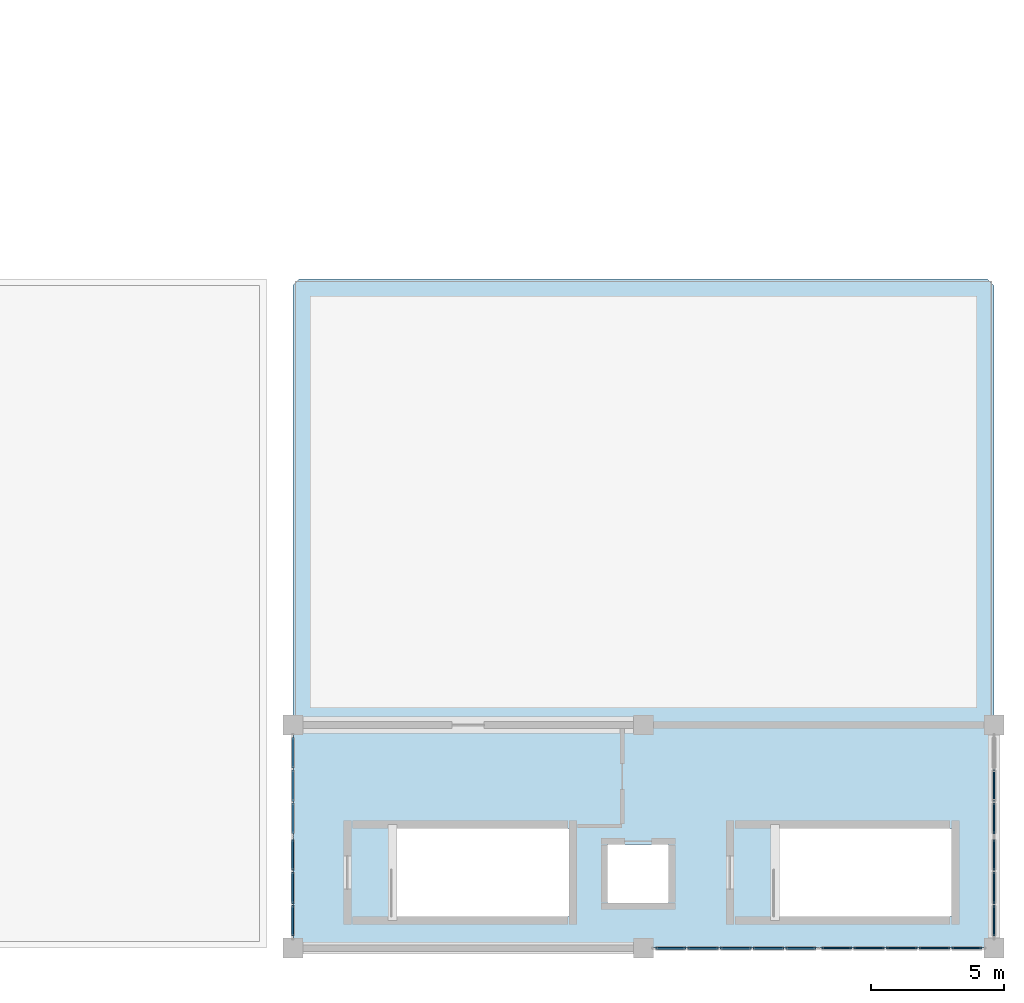
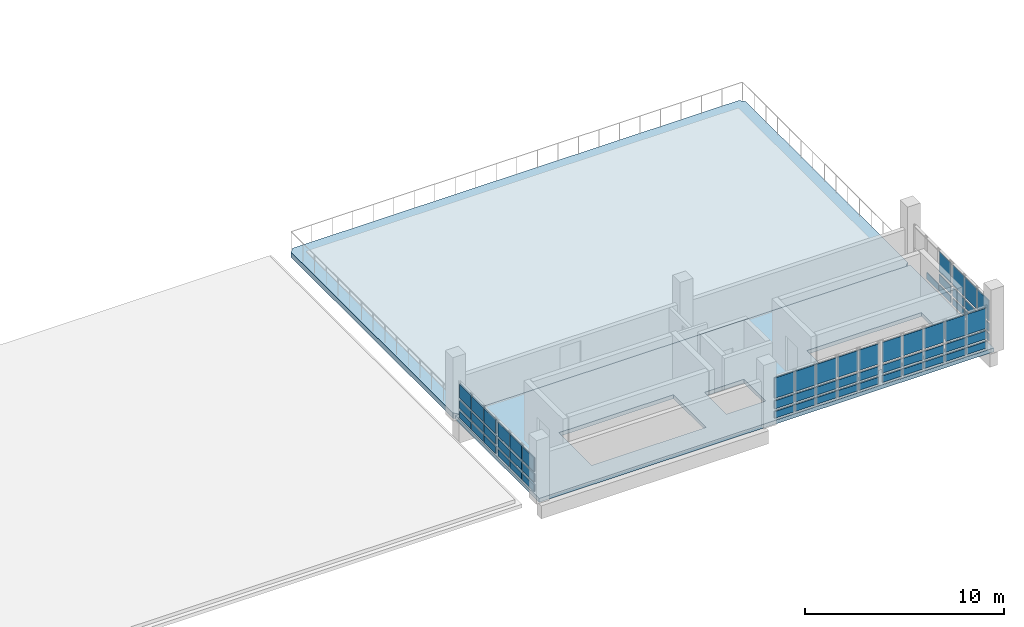
# One storey, part 166 of 188: 61 plates, 2 slabs, 6 elements without a shape of their own.
"""IFC4 building model written with IfcOpenShell, lengths in metres."""

import ifcopenshell
import ifcopenshell.guid

model = None  # the IFC model being written
_history = None  # IfcOwnerHistory: only IFC2X3 demands one
_inside = {}  # id of a spatial element -> (the spatial element, [elements in it])
_under = {}  # id of a project, library or spatial element -> (it, [spatial elements below it])
_declared = {}  # id of a project -> (the project, [libraries it declares])
_typed = {}  # id of a type object -> (the type object, [elements of that type])
_made_of = {}  # id of a material, layer set ... -> (it, [elements and type objects made of it])


def new_model(schema):
    """Start an empty IFC model of exactly this schema.

    Asked for "IFC4X3", IfcOpenShell would pick the latest addendum, in which some entities
    have other attributes; the version numbers below select the first issue.
    IFC2X3 requires an IfcOwnerHistory on every rooted entity: one is made here for all.
    """
    global model, _history
    if schema == "IFC4X3":
        model = ifcopenshell.file(schema_version=(4, 3, 0, 0))
    else:
        model = ifcopenshell.file(schema=schema)
    _inside.clear()
    _under.clear()
    _declared.clear()
    _typed.clear()
    _made_of.clear()
    _history = None
    if model.schema == "IFC2X3":
        org = make("IfcOrganization", Name="unknown")
        user = make(
            "IfcPersonAndOrganization",
            ThePerson=make("IfcPerson", FamilyName="unknown"),
            TheOrganization=org,
        )
        app = make(
            "IfcApplication",
            ApplicationDeveloper=org,
            Version="unknown",
            ApplicationFullName="unknown",
            ApplicationIdentifier="unknown",
        )
        _history = make(
            "IfcOwnerHistory",
            OwningUser=user,
            OwningApplication=app,
            ChangeAction="ADDED",
            CreationDate=0,
        )
    return model


def make(cls, **values):
    """One entity of the class cls with the attributes given. An attribute that is None is left unset."""
    return model.create_entity(
        cls, **{name: value for name, value in values.items() if value is not None}
    )


def rooted(cls, **values):
    """An entity with a GlobalId (a new one), such as an element, a storey or a relation."""
    return make(cls, GlobalId=ifcopenshell.guid.new(), OwnerHistory=_history, **values)


def si_unit(unit_type, name, prefix=None):
    """IfcSIUnit, for example si_unit("LENGTHUNIT", "METRE", prefix="MILLI")."""
    return make("IfcSIUnit", UnitType=unit_type, Prefix=prefix, Name=name)


def assignment(units):
    """IfcUnitAssignment: the units of a project."""
    return None if units is None else make("IfcUnitAssignment", Units=units)


def point(xyz):
    """IfcCartesianPoint."""
    return None if xyz is None else make("IfcCartesianPoint", Coordinates=xyz)


def direction(xyz):
    """IfcDirection."""
    return None if xyz is None else make("IfcDirection", DirectionRatios=xyz)


def frame(location, z_axis=None, x_axis=None):
    """IfcAxis2Placement3D, a coordinate frame: its origin and axes. An axis left out is left unset."""
    return make(
        "IfcAxis2Placement3D",
        Location=point(location),
        Axis=direction(z_axis),
        RefDirection=direction(x_axis),
    )


def frame_2d(location, x_axis=None):
    """IfcAxis2Placement2D, a coordinate frame in the plane: its origin and x axis."""
    return make(
        "IfcAxis2Placement2D", Location=point(location), RefDirection=direction(x_axis)
    )


def origin():
    """The frame at (0, 0, 0) with its axes left unset."""
    return frame((0.0, 0.0, 0.0))


def origin_2d():
    """The frame at (0, 0) in the plane with its x axis left unset."""
    return frame_2d((0.0, 0.0))


def place(relative_to, where):
    """IfcLocalPlacement: puts the frame where relative to a parent placement (None: the world)."""
    return make(
        "IfcLocalPlacement", PlacementRelTo=relative_to, RelativePlacement=where
    )


def context(
    kind, dimensions, precision=None, world=None, true_north=None, identifier=None
):
    """IfcGeometricRepresentationContext, for example the 3D "Model" context."""
    return make(
        "IfcGeometricRepresentationContext",
        ContextIdentifier=identifier,
        ContextType=kind,
        CoordinateSpaceDimension=dimensions,
        Precision=precision,
        WorldCoordinateSystem=world,
        TrueNorth=true_north,
    )


def subcontext(parent, identifier, kind, view, scale=None):
    """IfcGeometricRepresentationSubContext, for example "Body" below "Model"."""
    return make(
        "IfcGeometricRepresentationSubContext",
        ContextIdentifier=identifier,
        ContextType=kind,
        ParentContext=parent,
        TargetScale=scale,
        TargetView=view,
    )


def project(units=None, contexts=None):
    """IfcProject with its units and contexts."""
    return rooted(
        "IfcProject",
        Name="project",
        RepresentationContexts=contexts,
        UnitsInContext=assignment(units),
    )


def spatial(cls, under=None, at=None, **own):
    """A site, building, storey or space (cls), placed at a placement, below another one or the project."""
    s = rooted(cls, ObjectPlacement=at, **own)
    if under is not None:
        _under.setdefault(under.id(), (under, []))[1].append(s)
    return s


def polyline(points):
    """IfcPolyline through the points."""
    return make("IfcPolyline", Points=[point(p) for p in points])


def profile(cls, at=None, kind="AREA", **sizes):
    """A parametric profile (cls). Its sizes go by their IFC names, for example OverallWidth=200.0."""
    return make(cls, ProfileType=kind, Position=at, **sizes)


def rectangle(**sizes):
    """IfcRectangleProfileDef."""
    return profile("IfcRectangleProfileDef", **sizes)


def outline(outer, holes=None, kind="AREA"):
    """IfcArbitraryClosedProfileDef: a profile drawn as a closed curve; with holes, ...WithVoids."""
    if holes is None:
        return make("IfcArbitraryClosedProfileDef", ProfileType=kind, OuterCurve=outer)
    return make(
        "IfcArbitraryProfileDefWithVoids",
        ProfileType=kind,
        OuterCurve=outer,
        InnerCurves=holes,
    )


def extrude(swept, where, along, depth):
    """IfcExtrudedAreaSolid: the profile swept, set in the frame where, extruded along a direction by depth."""
    return make(
        "IfcExtrudedAreaSolid",
        SweptArea=swept,
        Position=where,
        ExtrudedDirection=direction(along),
        Depth=depth,
    )


def shape(context_of_items, identifier, shape_type, items):
    """IfcShapeRepresentation: the items that make up one representation, for example the "Body"."""
    return make(
        "IfcShapeRepresentation",
        ContextOfItems=context_of_items,
        RepresentationIdentifier=identifier,
        RepresentationType=shape_type,
        Items=items,
    )


def material(Name=None, Category=None):
    """IfcMaterial."""
    return make("IfcMaterial", Name=Name, Category=Category)


def layer(
    of_material, thickness, ventilated=None, Name=None, Category=None, Priority=None
):
    """IfcMaterialLayer: one layer of a wall or slab, of a material (None: an air gap)."""
    return make(
        "IfcMaterialLayer",
        Material=of_material,
        LayerThickness=thickness,
        IsVentilated=ventilated,
        Name=Name,
        Category=Category,
        Priority=Priority,
    )


def layer_set(layers, Name=None):
    """IfcMaterialLayerSet."""
    return make("IfcMaterialLayerSet", MaterialLayers=layers, LayerSetName=Name)


def made_of(thing, what):
    """Note that an element or type object is made of a material, layer set ...; save() writes the relation."""
    if what is not None:
        _made_of.setdefault(what.id(), (what, []))[1].append(thing)
    return thing


def type_object(cls, material=None, **own):
    """A type object (cls), such as IfcWallType, which elements share."""
    return made_of(rooted(cls, **own), material)


def element(
    cls,
    number,
    at=None,
    inside=None,
    cuts=None,
    type_object=None,
    material=None,
    context=None,
    identifier="Body",
    shape_type=None,
    held_by="IfcProductDefinitionShape",
    body=None,
    shapes=None,
    **own,
):
    """One element of the class cls, such as IfcWall. Its Tag is "e" and its number.

    at: its placement. inside: the storey or other place that contains it. cuts: it is an
    opening in that element (IfcRelVoidsElement). A single representation is given by context,
    identifier, shape_type and body (its items); several are given by shapes. held_by: the class
    of the entity that holds the representations. save() writes the other relations.
    """
    e = rooted(cls, Tag="e%d" % number, ObjectPlacement=at, **own)
    if body is not None:
        shapes = [shape(context, identifier, shape_type, body)]
    if shapes is not None:
        e.Representation = make(held_by, Representations=shapes)
    if inside is not None:
        _inside.setdefault(inside.id(), (inside, []))[1].append(e)
    if cuts is not None:
        rooted(
            "IfcRelVoidsElement", RelatingBuildingElement=cuts, RelatedOpeningElement=e
        )
    if type_object is not None:
        _typed.setdefault(type_object.id(), (type_object, []))[1].append(e)
    return made_of(e, material)


def aggregate(whole, parts):
    """IfcRelAggregates: a whole, such as a stair, and the parts it consists of."""
    return rooted("IfcRelAggregates", RelatingObject=whole, RelatedObjects=parts)


def save(model, path):
    """Write the relations noted so far, then the file.

    IfcRelAggregates (storeys below a building ...), IfcRelContainedInSpatialStructure (elements
    in a storey), IfcRelDefinesByType, IfcRelAssociatesMaterial and IfcRelDeclares: one each for
    every whole, place, type object, material and project.
    """
    for whole, parts in _under.values():
        aggregate(whole, parts)
    for where, things in _inside.values():
        rooted(
            "IfcRelContainedInSpatialStructure",
            RelatedElements=things,
            RelatingStructure=where,
        )
    for kind, things in _typed.values():
        rooted("IfcRelDefinesByType", RelatedObjects=things, RelatingType=kind)
    for what, things in _made_of.values():
        rooted("IfcRelAssociatesMaterial", RelatedObjects=things, RelatingMaterial=what)
    for by, libraries in _declared.values():
        rooted("IfcRelDeclares", RelatingContext=by, RelatedDefinitions=libraries)
    model.write(path)


model = new_model("IFC4")

# Units and contexts
model_context = context("Model", 3, precision=1e-05, world=origin(), true_north=direction((0.0, 1.0)))
body_context = subcontext(model_context, "Body", "Model", "MODEL_VIEW")
ifc_project = project(units=[si_unit("LENGTHUNIT", "METRE"), si_unit("AREAUNIT", "SQUARE_METRE"), si_unit("VOLUMEUNIT", "CUBIC_METRE"), si_unit("PLANEANGLEUNIT", "RADIAN"), si_unit("MASSUNIT", "GRAM", prefix="KILO")], contexts=[model_context])

# Site, building, storey
site_placement = place(None, origin())
site = spatial("IfcSite", under=ifc_project, at=site_placement, CompositionType="ELEMENT")
building_placement = place(site_placement, origin())
building = spatial("IfcBuilding", under=site, at=building_placement, Name="Kisaragi Civic Commons", CompositionType="ELEMENT")
storey_placement = place(building_placement, frame((0.0, 0.0, 9.60009765625)))
storey = spatial("IfcBuildingStorey", under=building, at=storey_placement, Name="L02", CompositionType="ELEMENT", Elevation=9.60009765625)

# Curtain wall, plates
ifc_material_1 = material(Name="Thermally broken anodized aluminium and low-E double glazing", Category="aluminium")
ifc_layer_1 = layer(ifc_material_1, 0.2099609375, Name="Thermally broken anodized aluminium and low-E double glazing", Category="aluminium")
ifc_layer_set_1 = layer_set([ifc_layer_1], Name="Thermally broken anodized aluminium and low-E double glazing")
curtain_wall_type = type_object("IfcCurtainWallType", Name="CW-02", PredefinedType="NOTDEFINED", material=ifc_layer_set_1)
curtain_wall_1_placement = place(storey_placement, origin())
curtain_wall_1 = element("IfcCurtainWall", 1, at=curtain_wall_1_placement, inside=storey, type_object=curtain_wall_type, Name="L02 curtain wall CW-02 CW-V3-L02-039", PredefinedType="NOTDEFINED")
ifc_layer_2 = layer(ifc_material_1, 0.0458984375, Name="Thermally broken anodized aluminium and low-E double glazing", Category="aluminium")
ifc_layer_set_2 = layer_set([ifc_layer_2], Name="Thermally broken anodized aluminium and low-E double glazing")
plate_type_1 = type_object("IfcPlateType", Name="CWP-13", PredefinedType="CURTAIN_PANEL", material=ifc_layer_set_2)
plate_1_placement = place(storey_placement, frame((172.800048828125, 6.125, 0.16015625), z_axis=(0.0, 0.0, 1.0), x_axis=(0.0, -1.0, 0.0)))
plate_1 = element("IfcPlate", 2, at=plate_1_placement, type_object=plate_type_1, Name="CW-02 panel 2.1", PredefinedType="CURTAIN_PANEL", context=body_context, shape_type="SweptSolid", body=[
    extrude(rectangle(XDim=1.186767578125, YDim=0.0458984375, at=origin_2d()), origin(), (0.0, 0.0, 1.0), 0.409912109375),
])
plate_2_placement = place(storey_placement, frame((172.800048828125, 4.8857421875, 0.16015625), z_axis=(0.0, 0.0, 1.0), x_axis=(0.0, -1.0, 0.0)))
plate_2 = element("IfcPlate", 3, at=plate_2_placement, type_object=plate_type_1, Name="CW-02 panel 3.1", PredefinedType="CURTAIN_PANEL", context=body_context, shape_type="SweptSolid", body=[
    extrude(rectangle(XDim=1.151611328125, YDim=0.0458984375, at=origin_2d()), origin(), (0.0, 0.0, 1.0), 0.409912109375),
])
plate_3_placement = place(storey_placement, frame((172.800048828125, 4.8857421875, 0.72998046875), z_axis=(0.0, 0.0, 1.0), x_axis=(0.0, -1.0, 0.0)))
plate_3 = element("IfcPlate", 4, at=plate_3_placement, type_object=plate_type_1, Name="CW-02 panel 3.2", PredefinedType="CURTAIN_PANEL", context=body_context, shape_type="SweptSolid", body=[
    extrude(rectangle(XDim=1.151611328125, YDim=0.0458984375, at=origin_2d()), origin(), (0.0, 0.0, 1.0), 0.489990234375),
])
plate_4_placement = place(storey_placement, frame((172.800048828125, 4.8857421875, 1.3798828125), z_axis=(0.0, 0.0, 1.0), x_axis=(0.0, -1.0, 0.0)))
plate_4 = element("IfcPlate", 5, at=plate_4_placement, type_object=plate_type_1, Name="CW-02 panel 3.3", PredefinedType="CURTAIN_PANEL", context=body_context, shape_type="SweptSolid", body=[
    extrude(rectangle(XDim=1.151611328125, YDim=0.0458984375, at=origin_2d()), origin(), (0.0, 0.0, 1.0), 1.239990234375),
])
aggregate(curtain_wall_1, [plate_1, plate_2, plate_3, plate_4])

curtain_wall_2_placement = place(storey_placement, origin())
curtain_wall_2 = element("IfcCurtainWall", 6, at=curtain_wall_2_placement, inside=storey, type_object=curtain_wall_type, Name="L02 curtain wall CW-02 CW-V3-L02-040", PredefinedType="NOTDEFINED")
ifc_layer_3 = layer(ifc_material_1, 0.050048828125, Name="Thermally broken anodized aluminium and low-E double glazing", Category="aluminium")
ifc_layer_set_3 = layer_set([ifc_layer_3], Name="Thermally broken anodized aluminium and low-E double glazing")
plate_type_2 = type_object("IfcPlateType", Name="CWP-14", PredefinedType="CURTAIN_PANEL", material=ifc_layer_set_3)
plate_5_placement = place(storey_placement, frame((172.800048828125, 3.51416015625, 0.16015625), z_axis=(0.0, 0.0, 1.0), x_axis=(0.0, -1.0, 0.0)))
plate_5 = element("IfcPlate", 7, at=plate_5_placement, type_object=plate_type_2, Name="CW-02 panel 1.1", PredefinedType="CURTAIN_PANEL", context=body_context, shape_type="SweptSolid", body=[
    extrude(rectangle(XDim=1.151611328125, YDim=0.050048828125, at=origin_2d()), origin(), (0.0, 0.0, 1.0), 0.409912109375),
])
plate_6_placement = place(storey_placement, frame((172.800048828125, 3.51416015625, 0.72998046875), z_axis=(0.0, 0.0, 1.0), x_axis=(0.0, -1.0, 0.0)))
plate_6 = element("IfcPlate", 8, at=plate_6_placement, type_object=plate_type_2, Name="CW-02 panel 1.2", PredefinedType="CURTAIN_PANEL", context=body_context, shape_type="SweptSolid", body=[
    extrude(rectangle(XDim=1.151611328125, YDim=0.050048828125, at=origin_2d()), origin(), (0.0, 0.0, 1.0), 0.489990234375),
])
plate_7_placement = place(storey_placement, frame((172.800048828125, 3.51416015625, 1.3798828125), z_axis=(0.0, 0.0, 1.0), x_axis=(0.0, -1.0, 0.0)))
plate_7 = element("IfcPlate", 9, at=plate_7_placement, type_object=plate_type_2, Name="CW-02 panel 1.3", PredefinedType="CURTAIN_PANEL", context=body_context, shape_type="SweptSolid", body=[
    extrude(rectangle(XDim=1.151611328125, YDim=0.050048828125, at=origin_2d()), origin(), (0.0, 0.0, 1.0), 1.239990234375),
])
plate_8_placement = place(storey_placement, frame((172.800048828125, 2.27490234375, 0.16015625), z_axis=(0.0, 0.0, 1.0), x_axis=(0.0, -1.0, 0.0)))
plate_8 = element("IfcPlate", 10, at=plate_8_placement, type_object=plate_type_2, Name="CW-02 panel 2.1", PredefinedType="CURTAIN_PANEL", context=body_context, shape_type="SweptSolid", body=[
    extrude(rectangle(XDim=1.186767578125, YDim=0.050048828125, at=origin_2d()), origin(), (0.0, 0.0, 1.0), 0.409912109375),
])
plate_9_placement = place(storey_placement, frame((172.800048828125, 2.27490234375, 0.72998046875), z_axis=(0.0, 0.0, 1.0), x_axis=(0.0, -1.0, 0.0)))
plate_9 = element("IfcPlate", 11, at=plate_9_placement, type_object=plate_type_2, Name="CW-02 panel 2.2", PredefinedType="CURTAIN_PANEL", context=body_context, shape_type="SweptSolid", body=[
    extrude(rectangle(XDim=1.186767578125, YDim=0.050048828125, at=origin_2d()), origin(), (0.0, 0.0, 1.0), 0.489990234375),
])
plate_10_placement = place(storey_placement, frame((172.800048828125, 2.27490234375, 1.3798828125), z_axis=(0.0, 0.0, 1.0), x_axis=(0.0, -1.0, 0.0)))
plate_10 = element("IfcPlate", 12, at=plate_10_placement, type_object=plate_type_2, Name="CW-02 panel 2.3", PredefinedType="CURTAIN_PANEL", context=body_context, shape_type="SweptSolid", body=[
    extrude(rectangle(XDim=1.186767578125, YDim=0.050048828125, at=origin_2d()), origin(), (0.0, 0.0, 1.0), 1.239990234375),
])
plate_11_placement = place(storey_placement, frame((172.800048828125, 1.035888671875, 0.16015625), z_axis=(0.0, 0.0, 1.0), x_axis=(0.0, -1.0, 0.0)))
plate_11 = element("IfcPlate", 13, at=plate_11_placement, type_object=plate_type_2, Name="CW-02 panel 3.1", PredefinedType="CURTAIN_PANEL", context=body_context, shape_type="SweptSolid", body=[
    extrude(rectangle(XDim=1.151611328125, YDim=0.050048828125, at=origin_2d()), origin(), (0.0, 0.0, 1.0), 0.409912109375),
])
plate_12_placement = place(storey_placement, frame((172.800048828125, 1.035888671875, 0.72998046875), z_axis=(0.0, 0.0, 1.0), x_axis=(0.0, -1.0, 0.0)))
plate_12 = element("IfcPlate", 14, at=plate_12_placement, type_object=plate_type_2, Name="CW-02 panel 3.2", PredefinedType="CURTAIN_PANEL", context=body_context, shape_type="SweptSolid", body=[
    extrude(rectangle(XDim=1.151611328125, YDim=0.050048828125, at=origin_2d()), origin(), (0.0, 0.0, 1.0), 0.489990234375),
])
plate_13_placement = place(storey_placement, frame((172.800048828125, 1.035888671875, 1.3798828125), z_axis=(0.0, 0.0, 1.0), x_axis=(0.0, -1.0, 0.0)))
plate_13 = element("IfcPlate", 15, at=plate_13_placement, type_object=plate_type_2, Name="CW-02 panel 3.3", PredefinedType="CURTAIN_PANEL", context=body_context, shape_type="SweptSolid", body=[
    extrude(rectangle(XDim=1.151611328125, YDim=0.050048828125, at=origin_2d()), origin(), (0.0, 0.0, 1.0), 1.239990234375),
])
aggregate(curtain_wall_2, [plate_5, plate_6, plate_7, plate_8, plate_9, plate_10, plate_11, plate_12, plate_13])

curtain_wall_3_placement = place(storey_placement, origin())
curtain_wall_3 = element("IfcCurtainWall", 16, at=curtain_wall_3_placement, inside=storey, type_object=curtain_wall_type, Name="L02 curtain wall CW-02 CW-V3-L02-041", PredefinedType="NOTDEFINED")
ifc_layer_4 = layer(ifc_material_1, 0.053955078125, Name="Thermally broken anodized aluminium and low-E double glazing", Category="aluminium")
ifc_layer_set_4 = layer_set([ifc_layer_4], Name="Thermally broken anodized aluminium and low-E double glazing")
plate_type_3 = type_object("IfcPlateType", Name="CWP-15", PredefinedType="CURTAIN_PANEL", material=ifc_layer_set_4)
plate_14_placement = place(storey_placement, frame((171.775390625, 0.0, 0.16015625), z_axis=(0.0, 0.0, 1.0), x_axis=(-1.0, 0.0, 0.0)))
plate_14 = element("IfcPlate", 17, at=plate_14_placement, type_object=plate_type_3, Name="CW-02 panel 1.1", PredefinedType="CURTAIN_PANEL", context=body_context, shape_type="SweptSolid", body=[
    extrude(rectangle(XDim=1.12890625, YDim=0.053955078125, at=origin_2d()), origin(), (0.0, 0.0, 1.0), 0.409912109375),
])
plate_15_placement = place(storey_placement, frame((171.775390625, 0.0, 0.72998046875), z_axis=(0.0, 0.0, 1.0), x_axis=(-1.0, 0.0, 0.0)))
plate_15 = element("IfcPlate", 18, at=plate_15_placement, type_object=plate_type_3, Name="CW-02 panel 1.2", PredefinedType="CURTAIN_PANEL", context=body_context, shape_type="SweptSolid", body=[
    extrude(rectangle(XDim=1.12890625, YDim=0.053955078125, at=origin_2d()), origin(), (0.0, 0.0, 1.0), 0.489990234375),
])
plate_16_placement = place(storey_placement, frame((171.775390625, 0.0, 1.3798828125), z_axis=(0.0, 0.0, 1.0), x_axis=(-1.0, 0.0, 0.0)))
plate_16 = element("IfcPlate", 19, at=plate_16_placement, type_object=plate_type_3, Name="CW-02 panel 1.3", PredefinedType="CURTAIN_PANEL", context=body_context, shape_type="SweptSolid", body=[
    extrude(rectangle(XDim=1.12890625, YDim=0.053955078125, at=origin_2d()), origin(), (0.0, 0.0, 1.0), 1.239990234375),
])
plate_17_placement = place(storey_placement, frame((170.55908203125, 0.0, 0.16015625), z_axis=(0.0, 0.0, 1.0), x_axis=(-1.0, 0.0, 0.0)))
plate_17 = element("IfcPlate", 20, at=plate_17_placement, type_object=plate_type_3, Name="CW-02 panel 2.1", PredefinedType="CURTAIN_PANEL", context=body_context, shape_type="SweptSolid", body=[
    extrude(rectangle(XDim=1.1640625, YDim=0.053955078125, at=origin_2d()), origin(), (0.0, 0.0, 1.0), 0.409912109375),
])
plate_18_placement = place(storey_placement, frame((170.55908203125, 0.0, 0.72998046875), z_axis=(0.0, 0.0, 1.0), x_axis=(-1.0, 0.0, 0.0)))
plate_18 = element("IfcPlate", 21, at=plate_18_placement, type_object=plate_type_3, Name="CW-02 panel 2.2", PredefinedType="CURTAIN_PANEL", context=body_context, shape_type="SweptSolid", body=[
    extrude(rectangle(XDim=1.1640625, YDim=0.053955078125, at=origin_2d()), origin(), (0.0, 0.0, 1.0), 0.489990234375),
])
plate_19_placement = place(storey_placement, frame((170.55908203125, 0.0, 1.3798828125), z_axis=(0.0, 0.0, 1.0), x_axis=(-1.0, 0.0, 0.0)))
plate_19 = element("IfcPlate", 22, at=plate_19_placement, type_object=plate_type_3, Name="CW-02 panel 2.3", PredefinedType="CURTAIN_PANEL", context=body_context, shape_type="SweptSolid", body=[
    extrude(rectangle(XDim=1.1640625, YDim=0.053955078125, at=origin_2d()), origin(), (0.0, 0.0, 1.0), 1.239990234375),
])
plate_20_placement = place(storey_placement, frame((169.324951171875, 0.0, 0.16015625), z_axis=(0.0, 0.0, 1.0), x_axis=(-1.0, 0.0, 0.0)))
plate_20 = element("IfcPlate", 23, at=plate_20_placement, type_object=plate_type_3, Name="CW-02 panel 3.1", PredefinedType="CURTAIN_PANEL", context=body_context, shape_type="SweptSolid", body=[
    extrude(rectangle(XDim=1.1640625, YDim=0.053955078125, at=origin_2d()), origin(), (0.0, 0.0, 1.0), 0.409912109375),
])
plate_21_placement = place(storey_placement, frame((169.324951171875, 0.0, 0.72998046875), z_axis=(0.0, 0.0, 1.0), x_axis=(-1.0, 0.0, 0.0)))
plate_21 = element("IfcPlate", 24, at=plate_21_placement, type_object=plate_type_3, Name="CW-02 panel 3.2", PredefinedType="CURTAIN_PANEL", context=body_context, shape_type="SweptSolid", body=[
    extrude(rectangle(XDim=1.1640625, YDim=0.053955078125, at=origin_2d()), origin(), (0.0, 0.0, 1.0), 0.489990234375),
])
plate_22_placement = place(storey_placement, frame((169.324951171875, 0.0, 1.3798828125), z_axis=(0.0, 0.0, 1.0), x_axis=(-1.0, 0.0, 0.0)))
plate_22 = element("IfcPlate", 25, at=plate_22_placement, type_object=plate_type_3, Name="CW-02 panel 3.3", PredefinedType="CURTAIN_PANEL", context=body_context, shape_type="SweptSolid", body=[
    extrude(rectangle(XDim=1.1640625, YDim=0.053955078125, at=origin_2d()), origin(), (0.0, 0.0, 1.0), 1.239990234375),
])
plate_23_placement = place(storey_placement, frame((168.091064453125, 0.0, 0.16015625), z_axis=(0.0, 0.0, 1.0), x_axis=(-1.0, 0.0, 0.0)))
plate_23 = element("IfcPlate", 26, at=plate_23_placement, type_object=plate_type_3, Name="CW-02 panel 4.1", PredefinedType="CURTAIN_PANEL", context=body_context, shape_type="SweptSolid", body=[
    extrude(rectangle(XDim=1.1640625, YDim=0.053955078125, at=origin_2d()), origin(), (0.0, 0.0, 1.0), 0.409912109375),
])
plate_24_placement = place(storey_placement, frame((168.091064453125, 0.0, 0.72998046875), z_axis=(0.0, 0.0, 1.0), x_axis=(-1.0, 0.0, 0.0)))
plate_24 = element("IfcPlate", 27, at=plate_24_placement, type_object=plate_type_3, Name="CW-02 panel 4.2", PredefinedType="CURTAIN_PANEL", context=body_context, shape_type="SweptSolid", body=[
    extrude(rectangle(XDim=1.1640625, YDim=0.053955078125, at=origin_2d()), origin(), (0.0, 0.0, 1.0), 0.489990234375),
])
plate_25_placement = place(storey_placement, frame((168.091064453125, 0.0, 1.3798828125), z_axis=(0.0, 0.0, 1.0), x_axis=(-1.0, 0.0, 0.0)))
plate_25 = element("IfcPlate", 28, at=plate_25_placement, type_object=plate_type_3, Name="CW-02 panel 4.3", PredefinedType="CURTAIN_PANEL", context=body_context, shape_type="SweptSolid", body=[
    extrude(rectangle(XDim=1.1640625, YDim=0.053955078125, at=origin_2d()), origin(), (0.0, 0.0, 1.0), 1.239990234375),
])
plate_26_placement = place(storey_placement, frame((166.87451171875, 0.0, 0.16015625), z_axis=(0.0, 0.0, 1.0), x_axis=(-1.0, 0.0, 0.0)))
plate_26 = element("IfcPlate", 29, at=plate_26_placement, type_object=plate_type_3, Name="CW-02 panel 5.1", PredefinedType="CURTAIN_PANEL", context=body_context, shape_type="SweptSolid", body=[
    extrude(rectangle(XDim=1.12890625, YDim=0.053955078125, at=origin_2d()), origin(), (0.0, 0.0, 1.0), 0.409912109375),
])
plate_27_placement = place(storey_placement, frame((166.87451171875, 0.0, 0.72998046875), z_axis=(0.0, 0.0, 1.0), x_axis=(-1.0, 0.0, 0.0)))
plate_27 = element("IfcPlate", 30, at=plate_27_placement, type_object=plate_type_3, Name="CW-02 panel 5.2", PredefinedType="CURTAIN_PANEL", context=body_context, shape_type="SweptSolid", body=[
    extrude(rectangle(XDim=1.12890625, YDim=0.053955078125, at=origin_2d()), origin(), (0.0, 0.0, 1.0), 0.489990234375),
])
plate_28_placement = place(storey_placement, frame((166.87451171875, 0.0, 1.3798828125), z_axis=(0.0, 0.0, 1.0), x_axis=(-1.0, 0.0, 0.0)))
plate_28 = element("IfcPlate", 31, at=plate_28_placement, type_object=plate_type_3, Name="CW-02 panel 5.3", PredefinedType="CURTAIN_PANEL", context=body_context, shape_type="SweptSolid", body=[
    extrude(rectangle(XDim=1.12890625, YDim=0.053955078125, at=origin_2d()), origin(), (0.0, 0.0, 1.0), 1.239990234375),
])
aggregate(curtain_wall_3, [plate_14, plate_15, plate_16, plate_17, plate_18, plate_19, plate_20, plate_21, plate_22, plate_23, plate_24, plate_25, plate_26, plate_27, plate_28])

curtain_wall_4_placement = place(storey_placement, origin())
curtain_wall_4 = element("IfcCurtainWall", 32, at=curtain_wall_4_placement, inside=storey, type_object=curtain_wall_type, Name="L02 curtain wall CW-02 CW-V3-L02-042", PredefinedType="NOTDEFINED")
ifc_layer_5 = layer(ifc_material_1, 0.06201171875, Name="Thermally broken anodized aluminium and low-E double glazing", Category="aluminium")
ifc_layer_set_5 = layer_set([ifc_layer_5], Name="Thermally broken anodized aluminium and low-E double glazing")
plate_type_4 = type_object("IfcPlateType", Name="CWP-16", PredefinedType="CURTAIN_PANEL", material=ifc_layer_set_5)
plate_29_placement = place(storey_placement, frame((165.525390625, 0.0, 0.16015625), z_axis=(0.0, 0.0, 1.0), x_axis=(-1.0, 0.0, 0.0)))
plate_29 = element("IfcPlate", 33, at=plate_29_placement, type_object=plate_type_4, Name="CW-02 panel 1.1", PredefinedType="CURTAIN_PANEL", context=body_context, shape_type="SweptSolid", body=[
    extrude(rectangle(XDim=1.12890625, YDim=0.06201171875, at=origin_2d()), origin(), (0.0, 0.0, 1.0), 0.409912109375),
])
plate_30_placement = place(storey_placement, frame((165.525390625, 0.0, 0.72998046875), z_axis=(0.0, 0.0, 1.0), x_axis=(-1.0, 0.0, 0.0)))
plate_30 = element("IfcPlate", 34, at=plate_30_placement, type_object=plate_type_4, Name="CW-02 panel 1.2", PredefinedType="CURTAIN_PANEL", context=body_context, shape_type="SweptSolid", body=[
    extrude(rectangle(XDim=1.12890625, YDim=0.06201171875, at=origin_2d()), origin(), (0.0, 0.0, 1.0), 0.489990234375),
])
plate_31_placement = place(storey_placement, frame((165.525390625, 0.0, 1.3798828125), z_axis=(0.0, 0.0, 1.0), x_axis=(-1.0, 0.0, 0.0)))
plate_31 = element("IfcPlate", 35, at=plate_31_placement, type_object=plate_type_4, Name="CW-02 panel 1.3", PredefinedType="CURTAIN_PANEL", context=body_context, shape_type="SweptSolid", body=[
    extrude(rectangle(XDim=1.12890625, YDim=0.06201171875, at=origin_2d()), origin(), (0.0, 0.0, 1.0), 1.239990234375),
])
plate_32_placement = place(storey_placement, frame((164.30908203125, 0.0, 0.16015625), z_axis=(0.0, 0.0, 1.0), x_axis=(-1.0, 0.0, 0.0)))
plate_32 = element("IfcPlate", 36, at=plate_32_placement, type_object=plate_type_4, Name="CW-02 panel 2.1", PredefinedType="CURTAIN_PANEL", context=body_context, shape_type="SweptSolid", body=[
    extrude(rectangle(XDim=1.1640625, YDim=0.06201171875, at=origin_2d()), origin(), (0.0, 0.0, 1.0), 0.409912109375),
])
plate_33_placement = place(storey_placement, frame((164.30908203125, 0.0, 0.72998046875), z_axis=(0.0, 0.0, 1.0), x_axis=(-1.0, 0.0, 0.0)))
plate_33 = element("IfcPlate", 37, at=plate_33_placement, type_object=plate_type_4, Name="CW-02 panel 2.2", PredefinedType="CURTAIN_PANEL", context=body_context, shape_type="SweptSolid", body=[
    extrude(rectangle(XDim=1.1640625, YDim=0.06201171875, at=origin_2d()), origin(), (0.0, 0.0, 1.0), 0.489990234375),
])
plate_34_placement = place(storey_placement, frame((164.30908203125, 0.0, 1.3798828125), z_axis=(0.0, 0.0, 1.0), x_axis=(-1.0, 0.0, 0.0)))
plate_34 = element("IfcPlate", 38, at=plate_34_placement, type_object=plate_type_4, Name="CW-02 panel 2.3", PredefinedType="CURTAIN_PANEL", context=body_context, shape_type="SweptSolid", body=[
    extrude(rectangle(XDim=1.1640625, YDim=0.06201171875, at=origin_2d()), origin(), (0.0, 0.0, 1.0), 1.239990234375),
])
plate_35_placement = place(storey_placement, frame((163.074951171875, 0.0, 0.16015625), z_axis=(0.0, 0.0, 1.0), x_axis=(-1.0, 0.0, 0.0)))
plate_35 = element("IfcPlate", 39, at=plate_35_placement, type_object=plate_type_4, Name="CW-02 panel 3.1", PredefinedType="CURTAIN_PANEL", context=body_context, shape_type="SweptSolid", body=[
    extrude(rectangle(XDim=1.1640625, YDim=0.06201171875, at=origin_2d()), origin(), (0.0, 0.0, 1.0), 0.409912109375),
])
plate_36_placement = place(storey_placement, frame((163.074951171875, 0.0, 0.72998046875), z_axis=(0.0, 0.0, 1.0), x_axis=(-1.0, 0.0, 0.0)))
plate_36 = element("IfcPlate", 40, at=plate_36_placement, type_object=plate_type_4, Name="CW-02 panel 3.2", PredefinedType="CURTAIN_PANEL", context=body_context, shape_type="SweptSolid", body=[
    extrude(rectangle(XDim=1.1640625, YDim=0.06201171875, at=origin_2d()), origin(), (0.0, 0.0, 1.0), 0.489990234375),
])
plate_37_placement = place(storey_placement, frame((163.074951171875, 0.0, 1.3798828125), z_axis=(0.0, 0.0, 1.0), x_axis=(-1.0, 0.0, 0.0)))
plate_37 = element("IfcPlate", 41, at=plate_37_placement, type_object=plate_type_4, Name="CW-02 panel 3.3", PredefinedType="CURTAIN_PANEL", context=body_context, shape_type="SweptSolid", body=[
    extrude(rectangle(XDim=1.1640625, YDim=0.06201171875, at=origin_2d()), origin(), (0.0, 0.0, 1.0), 1.239990234375),
])
plate_38_placement = place(storey_placement, frame((161.841064453125, 0.0, 0.16015625), z_axis=(0.0, 0.0, 1.0), x_axis=(-1.0, 0.0, 0.0)))
plate_38 = element("IfcPlate", 42, at=plate_38_placement, type_object=plate_type_4, Name="CW-02 panel 4.1", PredefinedType="CURTAIN_PANEL", context=body_context, shape_type="SweptSolid", body=[
    extrude(rectangle(XDim=1.1640625, YDim=0.06201171875, at=origin_2d()), origin(), (0.0, 0.0, 1.0), 0.409912109375),
])
plate_39_placement = place(storey_placement, frame((161.841064453125, 0.0, 0.72998046875), z_axis=(0.0, 0.0, 1.0), x_axis=(-1.0, 0.0, 0.0)))
plate_39 = element("IfcPlate", 43, at=plate_39_placement, type_object=plate_type_4, Name="CW-02 panel 4.2", PredefinedType="CURTAIN_PANEL", context=body_context, shape_type="SweptSolid", body=[
    extrude(rectangle(XDim=1.1640625, YDim=0.06201171875, at=origin_2d()), origin(), (0.0, 0.0, 1.0), 0.489990234375),
])
plate_40_placement = place(storey_placement, frame((161.841064453125, 0.0, 1.3798828125), z_axis=(0.0, 0.0, 1.0), x_axis=(-1.0, 0.0, 0.0)))
plate_40 = element("IfcPlate", 44, at=plate_40_placement, type_object=plate_type_4, Name="CW-02 panel 4.3", PredefinedType="CURTAIN_PANEL", context=body_context, shape_type="SweptSolid", body=[
    extrude(rectangle(XDim=1.1640625, YDim=0.06201171875, at=origin_2d()), origin(), (0.0, 0.0, 1.0), 1.239990234375),
])
plate_41_placement = place(storey_placement, frame((160.62451171875, 0.0, 0.16015625), z_axis=(0.0, 0.0, 1.0), x_axis=(-1.0, 0.0, 0.0)))
plate_41 = element("IfcPlate", 45, at=plate_41_placement, type_object=plate_type_4, Name="CW-02 panel 5.1", PredefinedType="CURTAIN_PANEL", context=body_context, shape_type="SweptSolid", body=[
    extrude(rectangle(XDim=1.12890625, YDim=0.06201171875, at=origin_2d()), origin(), (0.0, 0.0, 1.0), 0.409912109375),
])
plate_42_placement = place(storey_placement, frame((160.62451171875, 0.0, 0.72998046875), z_axis=(0.0, 0.0, 1.0), x_axis=(-1.0, 0.0, 0.0)))
plate_42 = element("IfcPlate", 46, at=plate_42_placement, type_object=plate_type_4, Name="CW-02 panel 5.2", PredefinedType="CURTAIN_PANEL", context=body_context, shape_type="SweptSolid", body=[
    extrude(rectangle(XDim=1.12890625, YDim=0.06201171875, at=origin_2d()), origin(), (0.0, 0.0, 1.0), 0.489990234375),
])
plate_43_placement = place(storey_placement, frame((160.62451171875, 0.0, 1.3798828125), z_axis=(0.0, 0.0, 1.0), x_axis=(-1.0, 0.0, 0.0)))
plate_43 = element("IfcPlate", 47, at=plate_43_placement, type_object=plate_type_4, Name="CW-02 panel 5.3", PredefinedType="CURTAIN_PANEL", context=body_context, shape_type="SweptSolid", body=[
    extrude(rectangle(XDim=1.12890625, YDim=0.06201171875, at=origin_2d()), origin(), (0.0, 0.0, 1.0), 1.239990234375),
])
aggregate(curtain_wall_4, [plate_29, plate_30, plate_31, plate_32, plate_33, plate_34, plate_35, plate_36, plate_37, plate_38, plate_39, plate_40, plate_41, plate_42, plate_43])

curtain_wall_5_placement = place(storey_placement, origin())
curtain_wall_5 = element("IfcCurtainWall", 48, at=curtain_wall_5_placement, inside=storey, type_object=curtain_wall_type, Name="L02 curtain wall CW-02 CW-V3-L02-043", PredefinedType="NOTDEFINED")
ifc_layer_6 = layer(ifc_material_1, 0.070068359375, Name="Thermally broken anodized aluminium and low-E double glazing", Category="aluminium")
ifc_layer_set_6 = layer_set([ifc_layer_6], Name="Thermally broken anodized aluminium and low-E double glazing")
plate_type_5 = type_object("IfcPlateType", Name="CWP-17", PredefinedType="CURTAIN_PANEL", material=ifc_layer_set_6)
plate_44_placement = place(storey_placement, frame((146.39990234375, 1.035888671875, 0.16015625), z_axis=(0.0, 0.0, 1.0), x_axis=(0.0, 1.0, 0.0)))
plate_44 = element("IfcPlate", 49, at=plate_44_placement, type_object=plate_type_5, Name="CW-02 panel 1.1", PredefinedType="CURTAIN_PANEL", context=body_context, shape_type="SweptSolid", body=[
    extrude(rectangle(XDim=1.151611328125, YDim=0.070068359375, at=origin_2d()), origin(), (0.0, 0.0, 1.0), 0.409912109375),
])
plate_45_placement = place(storey_placement, frame((146.39990234375, 1.035888671875, 0.72998046875), z_axis=(0.0, 0.0, 1.0), x_axis=(0.0, 1.0, 0.0)))
plate_45 = element("IfcPlate", 50, at=plate_45_placement, type_object=plate_type_5, Name="CW-02 panel 1.2", PredefinedType="CURTAIN_PANEL", context=body_context, shape_type="SweptSolid", body=[
    extrude(rectangle(XDim=1.151611328125, YDim=0.070068359375, at=origin_2d()), origin(), (0.0, 0.0, 1.0), 0.489990234375),
])
plate_46_placement = place(storey_placement, frame((146.39990234375, 1.035888671875, 1.3798828125), z_axis=(0.0, 0.0, 1.0), x_axis=(0.0, 1.0, 0.0)))
plate_46 = element("IfcPlate", 51, at=plate_46_placement, type_object=plate_type_5, Name="CW-02 panel 1.3", PredefinedType="CURTAIN_PANEL", context=body_context, shape_type="SweptSolid", body=[
    extrude(rectangle(XDim=1.151611328125, YDim=0.070068359375, at=origin_2d()), origin(), (0.0, 0.0, 1.0), 0.840087890625),
])
plate_47_placement = place(storey_placement, frame((146.39990234375, 2.27490234375, 0.16015625), z_axis=(0.0, 0.0, 1.0), x_axis=(0.0, 1.0, 0.0)))
plate_47 = element("IfcPlate", 52, at=plate_47_placement, type_object=plate_type_5, Name="CW-02 panel 2.1", PredefinedType="CURTAIN_PANEL", context=body_context, shape_type="SweptSolid", body=[
    extrude(rectangle(XDim=1.186767578125, YDim=0.070068359375, at=origin_2d()), origin(), (0.0, 0.0, 1.0), 0.409912109375),
])
plate_48_placement = place(storey_placement, frame((146.39990234375, 2.27490234375, 0.72998046875), z_axis=(0.0, 0.0, 1.0), x_axis=(0.0, 1.0, 0.0)))
plate_48 = element("IfcPlate", 53, at=plate_48_placement, type_object=plate_type_5, Name="CW-02 panel 2.2", PredefinedType="CURTAIN_PANEL", context=body_context, shape_type="SweptSolid", body=[
    extrude(rectangle(XDim=1.186767578125, YDim=0.070068359375, at=origin_2d()), origin(), (0.0, 0.0, 1.0), 0.489990234375),
])
plate_49_placement = place(storey_placement, frame((146.39990234375, 2.27490234375, 1.3798828125), z_axis=(0.0, 0.0, 1.0), x_axis=(0.0, 1.0, 0.0)))
plate_49 = element("IfcPlate", 54, at=plate_49_placement, type_object=plate_type_5, Name="CW-02 panel 2.3", PredefinedType="CURTAIN_PANEL", context=body_context, shape_type="SweptSolid", body=[
    extrude(rectangle(XDim=1.186767578125, YDim=0.070068359375, at=origin_2d()), origin(), (0.0, 0.0, 1.0), 0.840087890625),
])
plate_50_placement = place(storey_placement, frame((146.39990234375, 3.51416015625, 0.16015625), z_axis=(0.0, 0.0, 1.0), x_axis=(0.0, 1.0, 0.0)))
plate_50 = element("IfcPlate", 55, at=plate_50_placement, type_object=plate_type_5, Name="CW-02 panel 3.1", PredefinedType="CURTAIN_PANEL", context=body_context, shape_type="SweptSolid", body=[
    extrude(rectangle(XDim=1.151611328125, YDim=0.070068359375, at=origin_2d()), origin(), (0.0, 0.0, 1.0), 0.409912109375),
])
plate_51_placement = place(storey_placement, frame((146.39990234375, 3.51416015625, 0.72998046875), z_axis=(0.0, 0.0, 1.0), x_axis=(0.0, 1.0, 0.0)))
plate_51 = element("IfcPlate", 56, at=plate_51_placement, type_object=plate_type_5, Name="CW-02 panel 3.2", PredefinedType="CURTAIN_PANEL", context=body_context, shape_type="SweptSolid", body=[
    extrude(rectangle(XDim=1.151611328125, YDim=0.070068359375, at=origin_2d()), origin(), (0.0, 0.0, 1.0), 0.489990234375),
])
plate_52_placement = place(storey_placement, frame((146.39990234375, 3.51416015625, 1.3798828125), z_axis=(0.0, 0.0, 1.0), x_axis=(0.0, 1.0, 0.0)))
plate_52 = element("IfcPlate", 57, at=plate_52_placement, type_object=plate_type_5, Name="CW-02 panel 3.3", PredefinedType="CURTAIN_PANEL", context=body_context, shape_type="SweptSolid", body=[
    extrude(rectangle(XDim=1.151611328125, YDim=0.070068359375, at=origin_2d()), origin(), (0.0, 0.0, 1.0), 0.840087890625),
])
aggregate(curtain_wall_5, [plate_44, plate_45, plate_46, plate_47, plate_48, plate_49, plate_50, plate_51, plate_52])

curtain_wall_6_placement = place(storey_placement, origin())
curtain_wall_6 = element("IfcCurtainWall", 58, at=curtain_wall_6_placement, inside=storey, type_object=curtain_wall_type, Name="L02 curtain wall CW-02 CW-V3-L02-044", PredefinedType="NOTDEFINED")
ifc_layer_7 = layer(ifc_material_1, 0.077880859375, Name="Thermally broken anodized aluminium and low-E double glazing", Category="aluminium")
ifc_layer_set_7 = layer_set([ifc_layer_7], Name="Thermally broken anodized aluminium and low-E double glazing")
plate_type_6 = type_object("IfcPlateType", Name="CWP-18", PredefinedType="CURTAIN_PANEL", material=ifc_layer_set_7)
plate_53_placement = place(storey_placement, frame((146.39990234375, 4.8857421875, 0.16015625), z_axis=(0.0, 0.0, 1.0), x_axis=(0.0, 1.0, 0.0)))
plate_53 = element("IfcPlate", 59, at=plate_53_placement, type_object=plate_type_6, Name="CW-02 panel 1.1", PredefinedType="CURTAIN_PANEL", context=body_context, shape_type="SweptSolid", body=[
    extrude(rectangle(XDim=1.151611328125, YDim=0.077880859375, at=origin_2d()), origin(), (0.0, 0.0, 1.0), 0.409912109375),
])
plate_54_placement = place(storey_placement, frame((146.39990234375, 4.8857421875, 0.72998046875), z_axis=(0.0, 0.0, 1.0), x_axis=(0.0, 1.0, 0.0)))
plate_54 = element("IfcPlate", 60, at=plate_54_placement, type_object=plate_type_6, Name="CW-02 panel 1.2", PredefinedType="CURTAIN_PANEL", context=body_context, shape_type="SweptSolid", body=[
    extrude(rectangle(XDim=1.151611328125, YDim=0.077880859375, at=origin_2d()), origin(), (0.0, 0.0, 1.0), 0.489990234375),
])
plate_55_placement = place(storey_placement, frame((146.39990234375, 4.8857421875, 1.3798828125), z_axis=(0.0, 0.0, 1.0), x_axis=(0.0, 1.0, 0.0)))
plate_55 = element("IfcPlate", 61, at=plate_55_placement, type_object=plate_type_6, Name="CW-02 panel 1.3", PredefinedType="CURTAIN_PANEL", context=body_context, shape_type="SweptSolid", body=[
    extrude(rectangle(XDim=1.151611328125, YDim=0.077880859375, at=origin_2d()), origin(), (0.0, 0.0, 1.0), 0.840087890625),
])
plate_56_placement = place(storey_placement, frame((146.39990234375, 6.125, 0.16015625), z_axis=(0.0, 0.0, 1.0), x_axis=(0.0, 1.0, 0.0)))
plate_56 = element("IfcPlate", 62, at=plate_56_placement, type_object=plate_type_6, Name="CW-02 panel 2.1", PredefinedType="CURTAIN_PANEL", context=body_context, shape_type="SweptSolid", body=[
    extrude(rectangle(XDim=1.186767578125, YDim=0.077880859375, at=origin_2d()), origin(), (0.0, 0.0, 1.0), 0.409912109375),
])
plate_57_placement = place(storey_placement, frame((146.39990234375, 6.125, 0.72998046875), z_axis=(0.0, 0.0, 1.0), x_axis=(0.0, 1.0, 0.0)))
plate_57 = element("IfcPlate", 63, at=plate_57_placement, type_object=plate_type_6, Name="CW-02 panel 2.2", PredefinedType="CURTAIN_PANEL", context=body_context, shape_type="SweptSolid", body=[
    extrude(rectangle(XDim=1.186767578125, YDim=0.077880859375, at=origin_2d()), origin(), (0.0, 0.0, 1.0), 0.489990234375),
])
plate_58_placement = place(storey_placement, frame((146.39990234375, 6.125, 1.3798828125), z_axis=(0.0, 0.0, 1.0), x_axis=(0.0, 1.0, 0.0)))
plate_58 = element("IfcPlate", 64, at=plate_58_placement, type_object=plate_type_6, Name="CW-02 panel 2.3", PredefinedType="CURTAIN_PANEL", context=body_context, shape_type="SweptSolid", body=[
    extrude(rectangle(XDim=1.186767578125, YDim=0.077880859375, at=origin_2d()), origin(), (0.0, 0.0, 1.0), 0.840087890625),
])
plate_59_placement = place(storey_placement, frame((146.39990234375, 7.3642578125, 0.16015625), z_axis=(0.0, 0.0, 1.0), x_axis=(0.0, 1.0, 0.0)))
plate_59 = element("IfcPlate", 65, at=plate_59_placement, type_object=plate_type_6, Name="CW-02 panel 3.1", PredefinedType="CURTAIN_PANEL", context=body_context, shape_type="SweptSolid", body=[
    extrude(rectangle(XDim=1.151611328125, YDim=0.077880859375, at=origin_2d()), origin(), (0.0, 0.0, 1.0), 0.409912109375),
])
plate_60_placement = place(storey_placement, frame((146.39990234375, 7.3642578125, 0.72998046875), z_axis=(0.0, 0.0, 1.0), x_axis=(0.0, 1.0, 0.0)))
plate_60 = element("IfcPlate", 66, at=plate_60_placement, type_object=plate_type_6, Name="CW-02 panel 3.2", PredefinedType="CURTAIN_PANEL", context=body_context, shape_type="SweptSolid", body=[
    extrude(rectangle(XDim=1.151611328125, YDim=0.077880859375, at=origin_2d()), origin(), (0.0, 0.0, 1.0), 0.489990234375),
])
plate_61_placement = place(storey_placement, frame((146.39990234375, 7.3642578125, 1.3798828125), z_axis=(0.0, 0.0, 1.0), x_axis=(0.0, 1.0, 0.0)))
plate_61 = element("IfcPlate", 67, at=plate_61_placement, type_object=plate_type_6, Name="CW-02 panel 3.3", PredefinedType="CURTAIN_PANEL", context=body_context, shape_type="SweptSolid", body=[
    extrude(rectangle(XDim=1.151611328125, YDim=0.077880859375, at=origin_2d()), origin(), (0.0, 0.0, 1.0), 0.840087890625),
])
aggregate(curtain_wall_6, [plate_53, plate_54, plate_55, plate_56, plate_57, plate_58, plate_59, plate_60, plate_61])

# Slabs
ifc_material_2 = material(Name="Concrete Fc30", Category="concrete")
ifc_layer_8 = layer(ifc_material_2, 0.235107421875, Name="Concrete Fc30", Category="concrete")
ifc_layer_set_8 = layer_set([ifc_layer_8], Name="Concrete Fc30")
slab_type_1 = type_object("IfcSlabType", Name="SL-F2B", PredefinedType="FLOOR", material=ifc_layer_set_8)
slab_1_placement = place(storey_placement, frame((0.0, 0.0, -0.235107421875)))
element("IfcSlab", 68, at=slab_1_placement, inside=storey, type_object=slab_type_1, Name="V3 L02 slab SL-F2B 29", PredefinedType="FLOOR", context=body_context, shape_type="SweptSolid", body=[
    extrude(outline(polyline([(146.39990234375, 8.39990234375), (146.39990234375, 0.0), (172.800048828125, 0.0), (172.800048828125, 8.39990234375), (146.39990234375, 8.39990234375)]), holes=[polyline([(160.550048828125, 1.699951171875), (160.550048828125, 3.89990234375), (158.25, 3.89990234375), (158.25, 1.699951171875), (160.550048828125, 1.699951171875)]), polyline([(150.14990234375, 1.199951171875), (156.800048828125, 1.199951171875), (156.800048828125, 4.5), (150.14990234375, 4.5), (150.14990234375, 1.199951171875)]), polyline([(164.550048828125, 1.199951171875), (171.199951171875, 1.199951171875), (171.199951171875, 4.5), (164.550048828125, 4.5), (164.550048828125, 1.199951171875)])]), origin(), (0.0, 0.0, 1.0), 0.235107421875),
])
ifc_layer_9 = layer(ifc_material_2, 0.320068359375, Name="Concrete Fc30", Category="concrete")
ifc_layer_set_9 = layer_set([ifc_layer_9], Name="Concrete Fc30")
slab_type_2 = type_object("IfcSlabType", Name="SL-TR1", PredefinedType="FLOOR", material=ifc_layer_set_9)
slab_2_placement = place(storey_placement, frame((0.0, 0.0, -0.320068359375)))
element("IfcSlab", 69, at=slab_2_placement, inside=storey, type_object=slab_type_2, Name="V3 L02 planted roof terrace slab 30", PredefinedType="FLOOR", context=body_context, shape_type="SweptSolid", body=[
    extrude(outline(polyline([(146.64990234375, 8.39990234375), (172.550048828125, 8.39990234375), (172.800048828125, 8.64990234375), (172.800048828125, 24.949951171875), (172.550048828125, 25.199951171875), (146.64990234375, 25.199951171875), (146.39990234375, 24.949951171875), (146.39990234375, 8.64990234375), (146.64990234375, 8.39990234375)])), origin(), (0.0, 0.0, 1.0), 0.320068359375),
])

save(model, "model.ifc")
